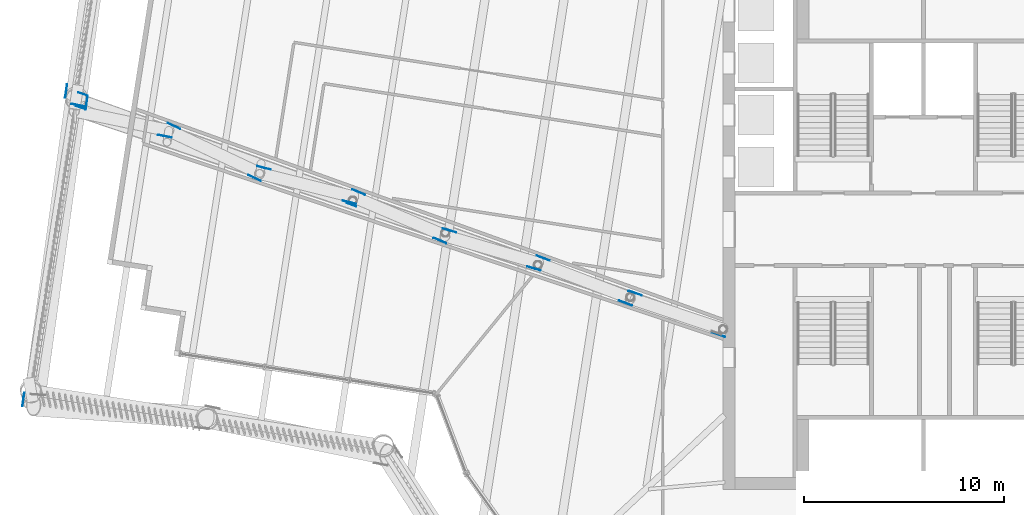
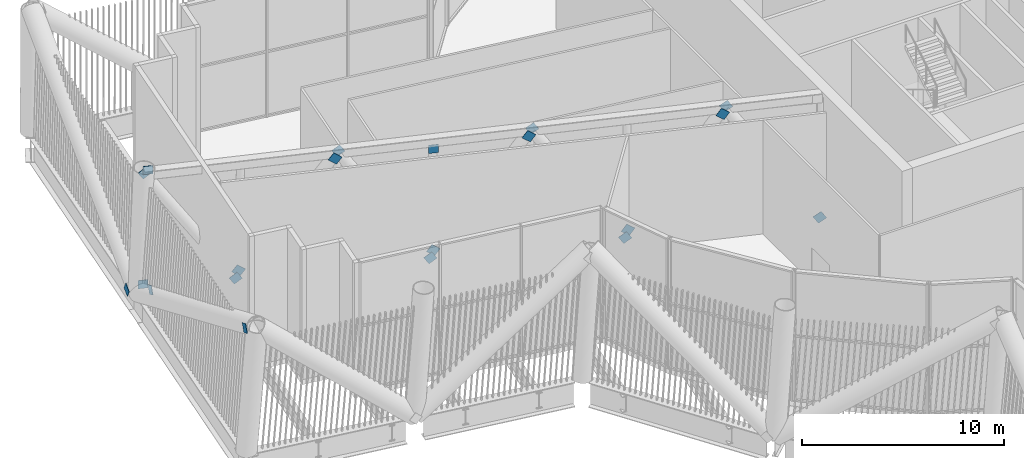
# One storey, part 38 of 55: 20 discrete accessories.
"""IFC4 building model written with IfcOpenShell, lengths in metres."""

from ifc_helpers import new_model, si_unit, direction, frame, origin, origin_2d, place, context, subcontext, project, spatial, rectangle, extrude, material, material_profile, profile_set, type_object, element, save


model = new_model("IFC4")

# Units and contexts
model_context = context("Model", 3, precision=1e-05, world=origin(), true_north=direction((0.0, 1.0)))
body_context = subcontext(model_context, "Body", "Model", "MODEL_VIEW")
ifc_project = project(units=[si_unit("LENGTHUNIT", "METRE"), si_unit("AREAUNIT", "SQUARE_METRE"), si_unit("VOLUMEUNIT", "CUBIC_METRE"), si_unit("PLANEANGLEUNIT", "RADIAN"), si_unit("MASSUNIT", "GRAM", prefix="KILO")], contexts=[model_context])

# Site, building, storey
site_placement = place(None, origin())
site = spatial("IfcSite", under=ifc_project, at=site_placement, CompositionType="ELEMENT")
building_placement = place(site_placement, origin())
building = spatial("IfcBuilding", under=site, at=building_placement, Name="Tarsis Ring Headquarters", CompositionType="ELEMENT")
storey_placement = place(building_placement, frame((0.0, 0.0, 247.199951171875)))
storey = spatial("IfcBuildingStorey", under=building, at=storey_placement, Name="L58", CompositionType="ELEMENT", Elevation=247.199951171875)

# Discrete accessories
ifc_material = material(Name="Structural steel S355", Category="steel")
ifc_material_profile = material_profile(ifc_material, rectangle(XDim=0.02490234375, YDim=0.5, at=origin_2d()), Name="PL 25x500")
ifc_profile_set = profile_set([ifc_material_profile], Name="Structural steel S355")
discrete_accessory_type_1 = type_object("IfcDiscreteAccessoryType", Name="Gusset plate Belt truss 25", PredefinedType="BRACKET", material=ifc_profile_set)
for number, where, z_axis, x_axis, name in (
    (1, (-42.827880859375, 6.681396484375, 0.0), (0.119146732617, 0.860883973789, 0.494654262875), (-0.99055808541, 0.137093688508, 0.0), "Gusset plate GP4"),
    (2, (-41.746337890625, 6.53173828125, 0.0), (-0.122061858716, -0.880798372491, 0.457487846466), (0.990533793174, -0.137269095506, 0.0), "Gusset plate GP4"),
):
    element("IfcDiscreteAccessory", number, at=place(storey_placement, frame(where, z_axis=z_axis, x_axis=x_axis)), inside=storey, type_object=discrete_accessory_type_1, Name=name, PredefinedType="BRACKET", context=body_context, shape_type="SweptSolid", body=[
        extrude(rectangle(XDim=0.02490234375, YDim=0.5, at=origin_2d()), origin(), (0.0, 0.0, 1.0), 0.5),
    ])
discrete_accessory_1_placement = place(storey_placement, frame((-44.965576171875, -8.71728515625, 8.0), z_axis=(0.122114370436, 0.880688839586, -0.457684660395), x_axis=(-0.990523438588, 0.137343793481, 0.0)))
element("IfcDiscreteAccessory", 3, at=discrete_accessory_1_placement, inside=storey, type_object=discrete_accessory_type_1, Name="Gusset plate GP4", PredefinedType="BRACKET", context=body_context, shape_type="SweptSolid", body=[
    extrude(rectangle(XDim=0.02490234375, YDim=0.5, at=origin_2d()), origin(), (0.0, 0.0, 1.0), 0.499755859375),
])
discrete_accessory_type_2 = type_object("IfcDiscreteAccessoryType", Name="Gusset plate Outrigger 25", PredefinedType="BRACKET", material=ifc_profile_set)
for number, where, z_axis, x_axis, name in (
    (4, (-10.101318359375, -5.30078125, 0.254150390625), (-0.525462227374, 0.17727024957, 0.832144642608), (-0.319660058126, -0.947532293507, 0.0), "Gusset plate GP1"),
    (5, (-14.52587890625, -3.141357421875, 7.5859375), (0.52550765963, -0.176797186604, -0.832216591086), (0.318869100812, 0.94779876374, 0.0), "Gusset plate GP1"),
):
    element("IfcDiscreteAccessory", number, at=place(storey_placement, frame(where, z_axis=z_axis, x_axis=x_axis)), inside=storey, type_object=discrete_accessory_type_2, Name=name, PredefinedType="BRACKET", context=body_context, shape_type="SweptSolid", body=[
        extrude(rectangle(XDim=0.02490234375, YDim=0.5, at=origin_2d()), origin(), (0.0, 0.0, 1.0), 0.5),
    ])
for number, where, z_axis, x_axis, name in (
    (6, (-14.740234375, -3.738525390625, 7.5859375), (-0.520701017648, 0.1983157722, -0.830386238275), (-0.355922416488, -0.934515507331, 0.0), "Gusset plate GP1"),
    (7, (-19.11279296875, -1.39404296875, 0.254150390625), (0.520701017648, -0.1983157722, 0.830386238275), (0.355922416488, 0.934515507331, 0.0), "Gusset plate GP1"),
):
    element("IfcDiscreteAccessory", number, at=place(storey_placement, frame(where, z_axis=z_axis, x_axis=x_axis)), inside=storey, type_object=discrete_accessory_type_2, Name=name, PredefinedType="BRACKET", context=body_context, shape_type="SweptSolid", body=[
        extrude(rectangle(XDim=0.02490234375, YDim=0.5, at=origin_2d()), origin(), (0.0, 0.0, 1.0), 0.499755859375),
    ])
discrete_accessory_2_placement = place(storey_placement, frame((-19.315185546875, -1.994873046875, 0.254150390625), z_axis=(-0.529351146856, 0.155289358579, 0.834069888219), x_axis=(-0.281495303155, -0.959562605723, 0.0)))
element("IfcDiscreteAccessory", 8, at=discrete_accessory_2_placement, inside=storey, type_object=discrete_accessory_type_2, Name="Gusset plate GP1", PredefinedType="BRACKET", context=body_context, shape_type="SweptSolid", body=[
    extrude(rectangle(XDim=0.02490234375, YDim=0.5, at=origin_2d()), origin(), (0.0, 0.0, 1.0), 0.5),
])
discrete_accessory_3_placement = place(storey_placement, frame((-23.792236328125, -0.021484375, 7.5859375), z_axis=(0.529566821494, -0.155352628446, -0.83392118477), x_axis=(0.281495303155, 0.959562605723, 0.0)))
element("IfcDiscreteAccessory", 9, at=discrete_accessory_3_placement, inside=storey, type_object=discrete_accessory_type_2, Name="Gusset plate GP1", PredefinedType="BRACKET", context=body_context, shape_type="SweptSolid", body=[
    extrude(rectangle(XDim=0.02490234375, YDim=0.5, at=origin_2d()), origin(), (0.0, 0.0, 1.0), 0.499755859375),
])
for number, where, z_axis, x_axis, name in (
    (10, (-24.005859375, -0.617919921875, 7.5859375), (-0.516207441023, 0.219766649442, -0.827787712898), (-0.391711969983, -0.920087893938, 0.0), "Gusset plate GP1"),
    (11, (-28.327392578125, 1.9111328125, 0.254150390625), (0.516207441023, -0.219766649442, 0.827787712898), (0.391711969983, 0.920087893938, 0.0), "Gusset plate GP1"),
    (12, (-28.528564453125, 1.311279296875, 0.254150390625), (-0.533756693347, 0.133317088091, 0.835063079252), (-0.242326762047, -0.970194692006, 0.0), "Gusset plate GP1"),
):
    element("IfcDiscreteAccessory", number, at=place(storey_placement, frame(where, z_axis=z_axis, x_axis=x_axis)), inside=storey, type_object=discrete_accessory_type_2, Name=name, PredefinedType="BRACKET", context=body_context, shape_type="SweptSolid", body=[
        extrude(rectangle(XDim=0.02490234375, YDim=0.5, at=origin_2d()), origin(), (0.0, 0.0, 1.0), 0.5),
    ])
for number, where, z_axis, x_axis, name in (
    (13, (-33.058837890625, 3.097900390625, 7.5859375), (0.533407342304, -0.133351835576, -0.835280728333), (0.242535625036, 0.970142500145, 0.0), "Gusset plate GP1"),
    (14, (-33.27099609375, 2.5029296875, 7.5859375), (-0.511372221139, 0.240789403077, -0.824935703442), (-0.426005096331, -0.90472076239, 0.0), "Gusset plate GP1"),
    (15, (-37.542236328125, 5.215576171875, 0.254150390625), (0.51107146847, -0.24038925668, 0.825238728725), (0.425630380487, 0.904897109735, 0.0), "Gusset plate GP1"),
):
    element("IfcDiscreteAccessory", number, at=place(storey_placement, frame(where, z_axis=z_axis, x_axis=x_axis)), inside=storey, type_object=discrete_accessory_type_2, Name=name, PredefinedType="BRACKET", context=body_context, shape_type="SweptSolid", body=[
        extrude(rectangle(XDim=0.02490234375, YDim=0.5, at=origin_2d()), origin(), (0.0, 0.0, 1.0), 0.499755859375),
    ])
for number, where, z_axis, x_axis, name in (
    (16, (-37.741943359375, 4.617919921875, 0.254150390625), (-0.537544792575, 0.111317177754, 0.835855299626), (-0.20278205996, -0.979223894806, 0.0), "Gusset plate GP1"),
    (17, (-42.32568359375, 6.216796875, 7.5859375), (0.537197499799, -0.111346390867, -0.836074654233), (0.202958816907, 0.97918727455, 0.0), "Gusset plate GP1"),
):
    element("IfcDiscreteAccessory", number, at=place(storey_placement, frame(where, z_axis=z_axis, x_axis=x_axis)), inside=storey, type_object=discrete_accessory_type_2, Name=name, PredefinedType="BRACKET", context=body_context, shape_type="SweptSolid", body=[
        extrude(rectangle(XDim=0.02490234375, YDim=0.5, at=origin_2d()), origin(), (0.0, 0.0, 1.0), 0.5),
    ])
discrete_accessory_type_3 = type_object("IfcDiscreteAccessoryType", Name="Gusset plate Outrigger chord 25", PredefinedType="BRACKET", material=ifc_profile_set)
for number, where, z_axis, x_axis, name in (
    (18, (-42.200439453125, 6.834228515625, 0.254150390625), (0.941210591713, -0.3378203991, 0.0), (0.3378203991, 0.941210591713, 0.0), "Gusset plate GP3"),
    (19, (-42.30517578125, 6.15869140625, 7.5859375), (0.947653030262, -0.319301948373, 0.0), (0.319301948373, 0.947653030262, 0.0), "Gusset plate GP3"),
    (20, (-28.549072265625, 1.22119140625, 7.33203125), (0.0, 0.0, -1.0), (-0.319105385079, -0.947719237545, 0.0), "Gusset plate GP3"),
):
    element("IfcDiscreteAccessory", number, at=place(storey_placement, frame(where, z_axis=z_axis, x_axis=x_axis)), inside=storey, type_object=discrete_accessory_type_3, Name=name, PredefinedType="BRACKET", context=body_context, shape_type="SweptSolid", body=[
        extrude(rectangle(XDim=0.02490234375, YDim=0.5, at=origin_2d()), origin(), (0.0, 0.0, 1.0), 0.5),
    ])

save(model, "model.ifc")
